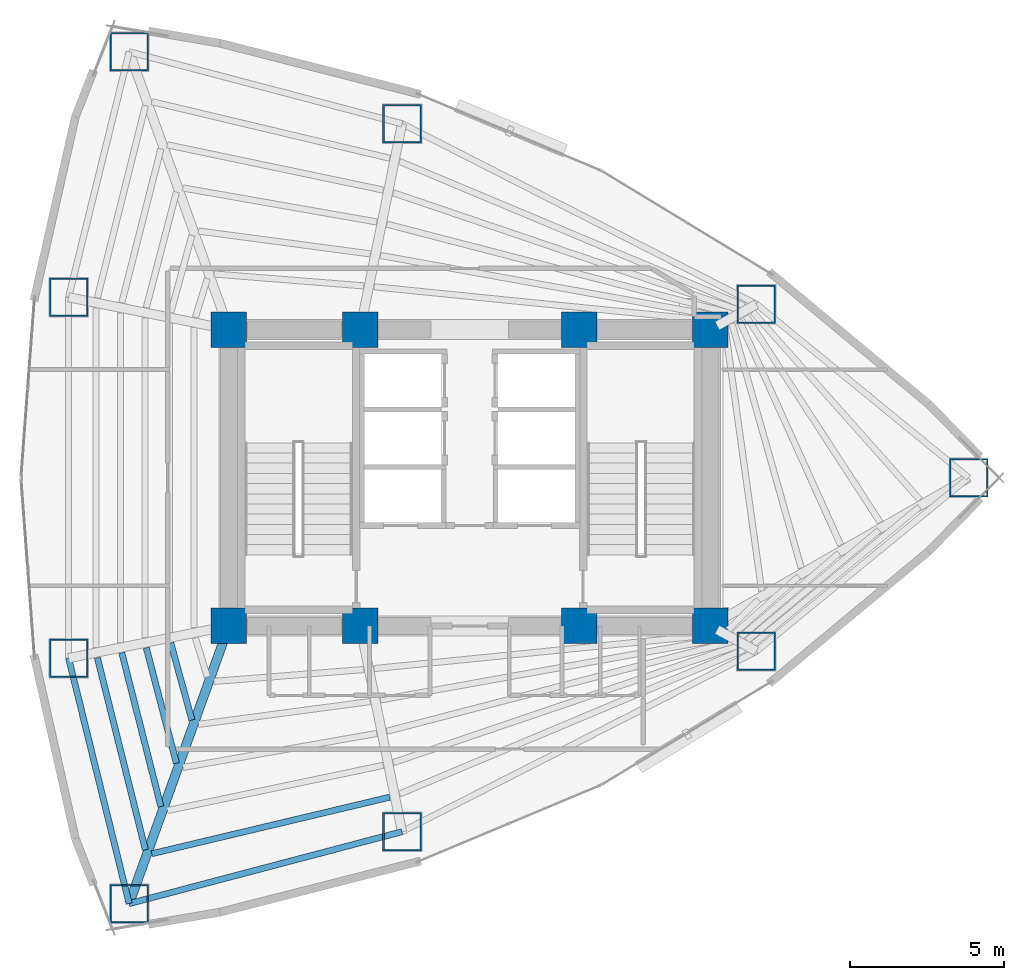
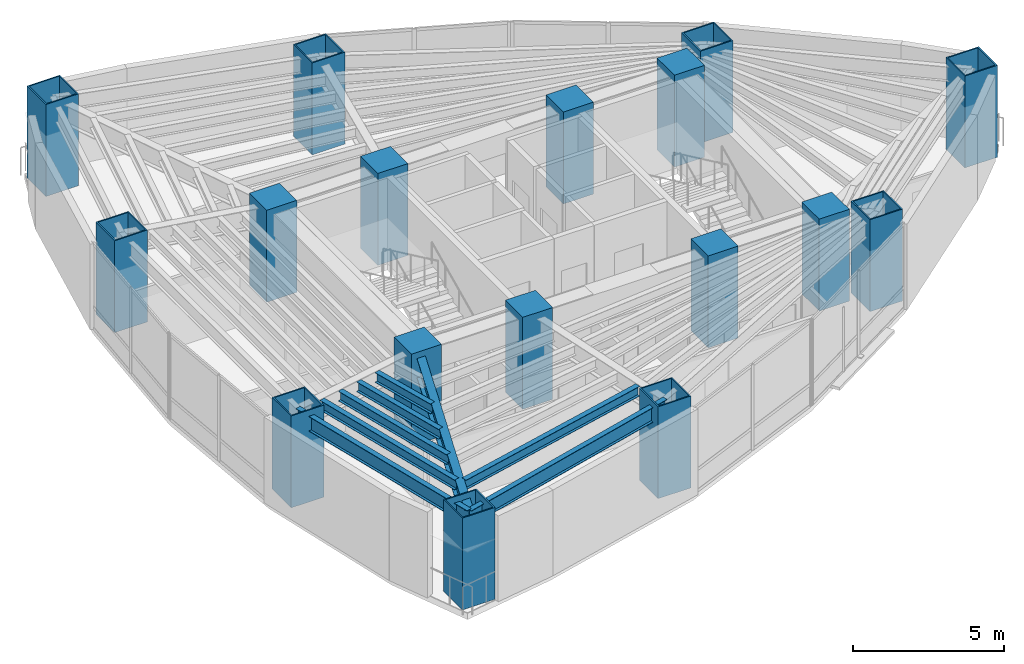
# One storey, part 1 of 18: 17 columns, 8 beams.
"""IFC4 building model written with IfcOpenShell, lengths in metres."""

from ifc_helpers import new_model, si_unit, direction, frame, origin, origin_2d, place, context, subcontext, project, spatial, rectangle, hollow_rectangle, i_section, extrude, material, material_profile, profile_set, type_object, element, save


model = new_model("IFC4")

# Units and contexts
model_context = context("Model", 3, precision=1e-05, world=origin(), true_north=direction((0.0, 1.0)))
body_context = subcontext(model_context, "Body", "Model", "MODEL_VIEW")
ifc_project = project(units=[si_unit("LENGTHUNIT", "METRE"), si_unit("AREAUNIT", "SQUARE_METRE"), si_unit("VOLUMEUNIT", "CUBIC_METRE"), si_unit("PLANEANGLEUNIT", "RADIAN"), si_unit("MASSUNIT", "GRAM", prefix="KILO")], contexts=[model_context])

# Site, building, storey
site_placement = place(None, origin())
site = spatial("IfcSite", under=ifc_project, at=site_placement, CompositionType="ELEMENT")
building_placement = place(site_placement, origin())
building = spatial("IfcBuilding", under=site, at=building_placement, Name="Menara Vayukalpa", CompositionType="ELEMENT")
storey_placement = place(building_placement, frame((0.0, 0.0, 89.10009765625)))
storey = spatial("IfcBuildingStorey", under=building, at=storey_placement, Name="L21", CompositionType="ELEMENT", Elevation=89.10009765625)

# Columns
ifc_material_1 = material(Name="Concrete C80/95", Category="concrete")
ifc_material_profile_1 = material_profile(ifc_material_1, rectangle(XDim=1.14990234375, YDim=1.14990234375, at=origin_2d()), Name="RC 1150x1150")
ifc_profile_set_1 = profile_set([ifc_material_profile_1], Name="Concrete C80/95")
column_type_1 = type_object("IfcColumnType", Name="COL-CC1", PredefinedType="COLUMN", material=ifc_profile_set_1)
for number, where, z_axis, x_axis, name in (
    (1, (17.800048828125, 17.199951171875, 0.0), (0.0, 0.0, 1.0), (1.0, 0.0, 0.0), "L21 Core Pilaster Column CC1"),
    (2, (22.050048828125, 17.199951171875, 0.0), (0.0, 0.0, 1.0), (1.0, 0.0, 0.0), "L21 Core Pilaster Column CC2"),
    (3, (29.14990234375, 17.199951171875, 0.0), (0.0, 0.0, 1.0), (1.0, 0.0, 0.0), "L21 Core Pilaster Column CC3"),
    (4, (33.39990234375, 17.199951171875, 0.0), (0.0, 0.0, 1.0), (1.0, 0.0, 0.0), "L21 Core Pilaster Column CC4"),
    (5, (17.800048828125, 26.800048828125, 0.0), (0.0, 0.0, 1.0), (1.0, 0.0, 0.0), "L21 Core Pilaster Column CC5"),
    (6, (22.050048828125, 26.800048828125, 0.0), (0.0, 0.0, 1.0), (1.0, 0.0, 0.0), "L21 Core Pilaster Column CC6"),
    (7, (29.14990234375, 26.800048828125, 0.0), (0.0, 0.0, 1.0), (1.0, 0.0, 0.0), "L21 Core Pilaster Column CC7"),
    (8, (33.39990234375, 26.800048828125, 0.0), (0.0, 0.0, 1.0), (1.0, 0.0, 0.0), "L21 Core Pilaster Column CC8"),
):
    element("IfcColumn", number, at=place(storey_placement, frame(where, z_axis=z_axis, x_axis=x_axis)), inside=storey, type_object=column_type_1, Name=name, PredefinedType="COLUMN", context=body_context, shape_type="SweptSolid", body=[
        extrude(rectangle(XDim=1.14990234375, YDim=1.14990234375, at=origin_2d()), origin(), (0.0, 0.0, 1.0), 3.719970703125),
    ])
ifc_material_2 = material(Name="Steel S460", Category="steel")
ifc_material_profile_2 = material_profile(ifc_material_2, hollow_rectangle(XDim=1.25, YDim=1.25, WallThickness=0.050048828125, at=origin_2d()), Name="BOX 1250x1250x50")
ifc_profile_set_2 = profile_set([ifc_material_profile_2], Name="Steel S460")
column_type_2 = type_object("IfcColumnType", Name="COL-MC2", PredefinedType="COLUMN", material=ifc_profile_set_2)
for number, where, z_axis, x_axis, name in (
    (9, (41.761962890625, 22.0, 0.0), (0.0, 0.0, 1.0), (1.0, 0.0, 0.0), "L21 Perimeter Mega Column P01"),
    (10, (34.88671875, 27.62158203125, 0.0), (0.0, 0.0, 1.0), (1.0, 0.0, 0.0), "L21 Perimeter Mega Column P02"),
    (11, (23.408203125, 33.46728515625, 0.0), (0.0, 0.0, 1.0), (1.0, 0.0, 0.0), "L21 Perimeter Mega Column P03"),
    (12, (14.569091796875, 35.79736328125, 0.0), (0.0, 0.0, 1.0), (1.0, 0.0, 0.0), "L21 Perimeter Mega Column P04"),
    (13, (12.606689453125, 27.845703125, 0.0), (0.0, 0.0, 1.0), (1.0, 0.0, 0.0), "L21 Perimeter Mega Column P05"),
    (14, (12.606689453125, 16.154296875, 0.0), (0.0, 0.0, 1.0), (1.0, 0.0, 0.0), "L21 Perimeter Mega Column P06"),
    (15, (14.569091796875, 8.20263671875, 0.0), (0.0, 0.0, 1.0), (1.0, 0.0, 0.0), "L21 Perimeter Mega Column P07"),
    (16, (23.408203125, 10.53271484375, 0.0), (0.0, 0.0, 1.0), (1.0, 0.0, 0.0), "L21 Perimeter Mega Column P08"),
    (17, (34.88671875, 16.37841796875, 0.0), (0.0, 0.0, 1.0), (1.0, 0.0, 0.0), "L21 Perimeter Mega Column P09"),
):
    element("IfcColumn", number, at=place(storey_placement, frame(where, z_axis=z_axis, x_axis=x_axis)), inside=storey, type_object=column_type_2, Name=name, PredefinedType="COLUMN", context=body_context, shape_type="SweptSolid", body=[
        extrude(hollow_rectangle(XDim=1.25, YDim=1.25, WallThickness=0.050048828125, at=origin_2d()), origin(), (0.0, 0.0, 1.0), 3.719970703125),
    ])

# Beams
ifc_material_3 = material(Name="Steel S355", Category="steel")
ifc_material_profile_3 = material_profile(ifc_material_3, i_section(OverallWidth=0.300048828125, OverallDepth=0.800048828125, WebThickness=0.013916015625, FlangeThickness=0.02587890625, at=origin_2d()), Name="WF 800x300x14x26")
ifc_profile_set_3 = profile_set([ifc_material_profile_3], Name="Steel S355")
beam_type_1 = type_object("IfcBeamType", Name="BM-PG3", PredefinedType="BEAM", material=ifc_profile_set_3)
beam_1_placement = place(storey_placement, frame((17.715576171875, 16.964599609375, 3.06982421875), z_axis=(-0.337975542909, -0.941154892882, 0.0), x_axis=(0.941154892882, -0.337975542909, 0.0)))
element("IfcBeam", 18, at=beam_1_placement, inside=storey, type_object=beam_type_1, Name="L21 Primary Radial Girder RG07", PredefinedType="BEAM", context=body_context, shape_type="SweptSolid", body=[
    extrude(i_section(OverallWidth=0.300048828125, OverallDepth=0.800048828125, WebThickness=0.013916015625, FlangeThickness=0.02587890625, at=origin_2d()), origin(), (0.0, 0.0, 1.0), 9.309814453125),
])
ifc_material_4 = material(Name="Steel S355", Category="steel")
ifc_material_profile_4 = material_profile(ifc_material_4, i_section(OverallWidth=0.199951171875, OverallDepth=0.39990234375, WebThickness=0.008056640625, FlangeThickness=0.012939453125, at=origin_2d()), Name="WF 400x200x8x13")
ifc_profile_set_4 = profile_set([ifc_material_profile_4], Name="Steel S355")
beam_type_2 = type_object("IfcBeamType", Name="BM-SJ2", PredefinedType="JOIST", material=ifc_profile_set_4)
beam_2_placement = place(storey_placement, frame((15.917236328125, 16.64794921875, 3.27001953125), z_axis=(0.263922858843, -0.964543790908, 0.0), x_axis=(0.964543790908, 0.263922858843, 0.0)))
element("IfcBeam", 19, at=beam_2_placement, inside=storey, type_object=beam_type_2, Name="L21 Secondary Floor Joist SJ06-2", PredefinedType="JOIST", context=body_context, shape_type="SweptSolid", body=[
    extrude(i_section(OverallWidth=0.199951171875, OverallDepth=0.39990234375, WebThickness=0.008056640625, FlangeThickness=0.012939453125, at=origin_2d()), origin(), (0.0, 0.0, 1.0), 2.590087890625),
])
beam_3_placement = place(storey_placement, frame((15.123779296875, 16.488037109375, 3.27001953125), z_axis=(0.252406469257, -0.967621296933, 0.0), x_axis=(0.967621296933, 0.252406469257, 0.0)))
element("IfcBeam", 20, at=beam_3_placement, inside=storey, type_object=beam_type_2, Name="L21 Secondary Floor Joist SJ06-3", PredefinedType="JOIST", context=body_context, shape_type="SweptSolid", body=[
    extrude(i_section(OverallWidth=0.199951171875, OverallDepth=0.39990234375, WebThickness=0.008056640625, FlangeThickness=0.012939453125, at=origin_2d()), origin(), (0.0, 0.0, 1.0), 3.865234375),
])
beam_4_placement = place(storey_placement, frame((14.330810546875, 16.328369140625, 3.27001953125), z_axis=(0.246311066692, -0.969190826631, 0.0), x_axis=(0.969190826631, 0.246311066692, 0.0)))
element("IfcBeam", 21, at=beam_4_placement, inside=storey, type_object=beam_type_2, Name="L21 Secondary Floor Joist SJ06-4", PredefinedType="JOIST", context=body_context, shape_type="SweptSolid", body=[
    extrude(i_section(OverallWidth=0.199951171875, OverallDepth=0.39990234375, WebThickness=0.008056640625, FlangeThickness=0.012939453125, at=origin_2d()), origin(), (0.0, 0.0, 1.0), 5.140380859375),
])
beam_5_placement = place(storey_placement, frame((13.53857421875, 16.168701171875, 3.27001953125), z_axis=(0.242481900969, -0.970155929582, 0.0), x_axis=(0.970155929582, 0.242481900969, 0.0)))
element("IfcBeam", 22, at=beam_5_placement, inside=storey, type_object=beam_type_2, Name="L21 Secondary Floor Joist SJ06-5", PredefinedType="JOIST", context=body_context, shape_type="SweptSolid", body=[
    extrude(i_section(OverallWidth=0.199951171875, OverallDepth=0.39990234375, WebThickness=0.008056640625, FlangeThickness=0.012939453125, at=origin_2d()), origin(), (0.0, 0.0, 1.0), 6.41552734375),
])
beam_6_placement = place(storey_placement, frame((15.30078125, 9.819091796875, 3.27001953125), z_axis=(0.97293603101, 0.231074619036, 0.0), x_axis=(-0.231074619036, 0.97293603101, 0.0)))
element("IfcBeam", 23, at=beam_6_placement, inside=storey, type_object=beam_type_2, Name="L21 Secondary Floor Joist SJ07-5", PredefinedType="JOIST", context=body_context, shape_type="SweptSolid", body=[
    extrude(i_section(OverallWidth=0.199951171875, OverallDepth=0.39990234375, WebThickness=0.008056640625, FlangeThickness=0.012939453125, at=origin_2d()), origin(), (0.0, 0.0, 1.0), 7.9208984375),
])
ifc_material_5 = material(Name="Steel S355", Category="steel")
ifc_material_profile_5 = material_profile(ifc_material_5, i_section(OverallWidth=0.199951171875, OverallDepth=0.60009765625, WebThickness=0.010986328125, FlangeThickness=0.01708984375, at=origin_2d()), Name="WF 600x200x11x17")
ifc_profile_set_5 = profile_set([ifc_material_profile_5], Name="Steel S355")
beam_type_3 = type_object("IfcBeamType", Name="BM-SP1", PredefinedType="SPANDREL", material=ifc_profile_set_5)
beam_7_placement = place(storey_placement, frame((12.606689453125, 16.154296875, 3.169921875), z_axis=(0.239602739234, -0.970871014786, 0.0), x_axis=(0.970871014786, 0.239602739234, 0.0)))
element("IfcBeam", 24, at=beam_7_placement, inside=storey, type_object=beam_type_3, Name="L21 Perimeter Spandrel Beam SP06", PredefinedType="SPANDREL", context=body_context, shape_type="SweptSolid", body=[
    extrude(i_section(OverallWidth=0.199951171875, OverallDepth=0.60009765625, WebThickness=0.010986328125, FlangeThickness=0.01708984375, at=origin_2d()), origin(), (0.0, 0.0, 1.0), 8.190185546875),
])
beam_8_placement = place(storey_placement, frame((14.569091796875, 8.20263671875, 3.169921875), z_axis=(0.966966857313, 0.254902131921, 0.0), x_axis=(-0.254902131921, 0.966966857313, 0.0)))
element("IfcBeam", 25, at=beam_8_placement, inside=storey, type_object=beam_type_3, Name="L21 Perimeter Spandrel Beam SP07", PredefinedType="SPANDREL", context=body_context, shape_type="SweptSolid", body=[
    extrude(i_section(OverallWidth=0.199951171875, OverallDepth=0.60009765625, WebThickness=0.010986328125, FlangeThickness=0.01708984375, at=origin_2d()), origin(), (0.0, 0.0, 1.0), 9.14111328125),
])

save(model, "model.ifc")
